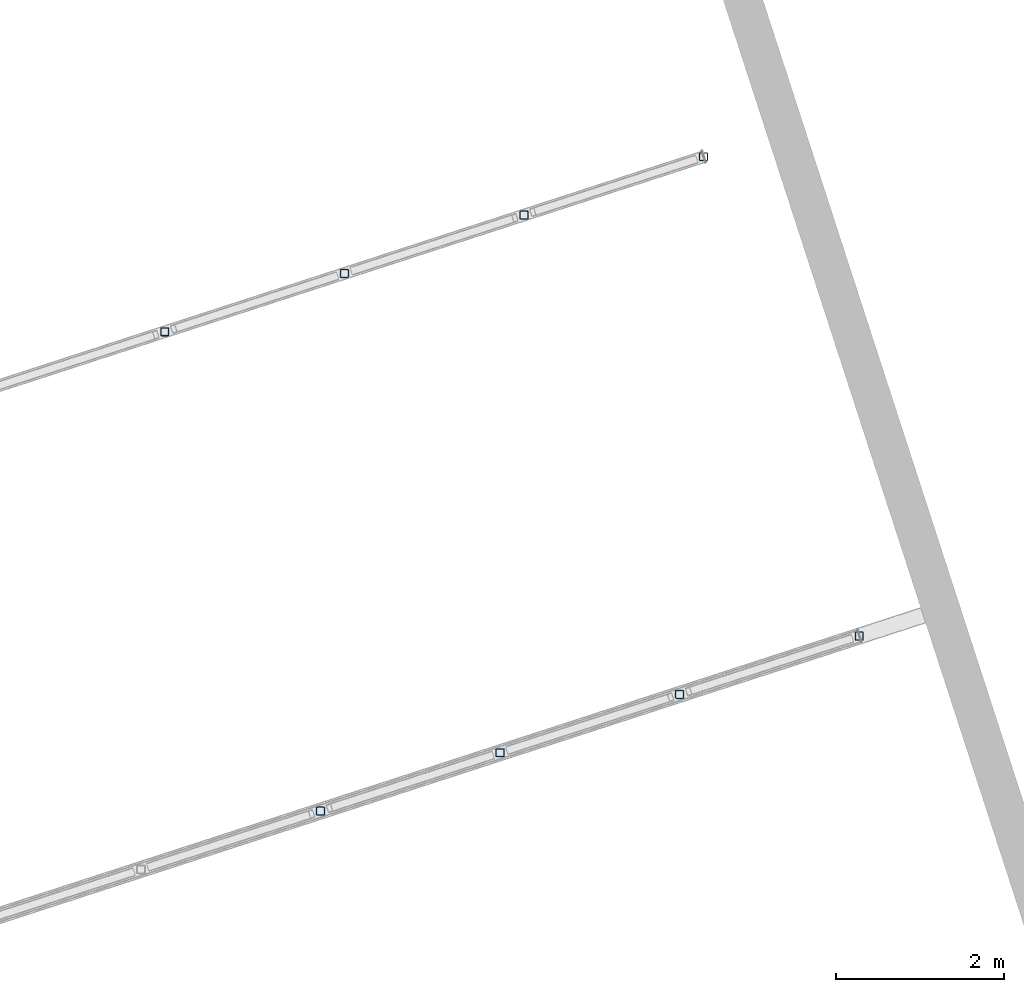
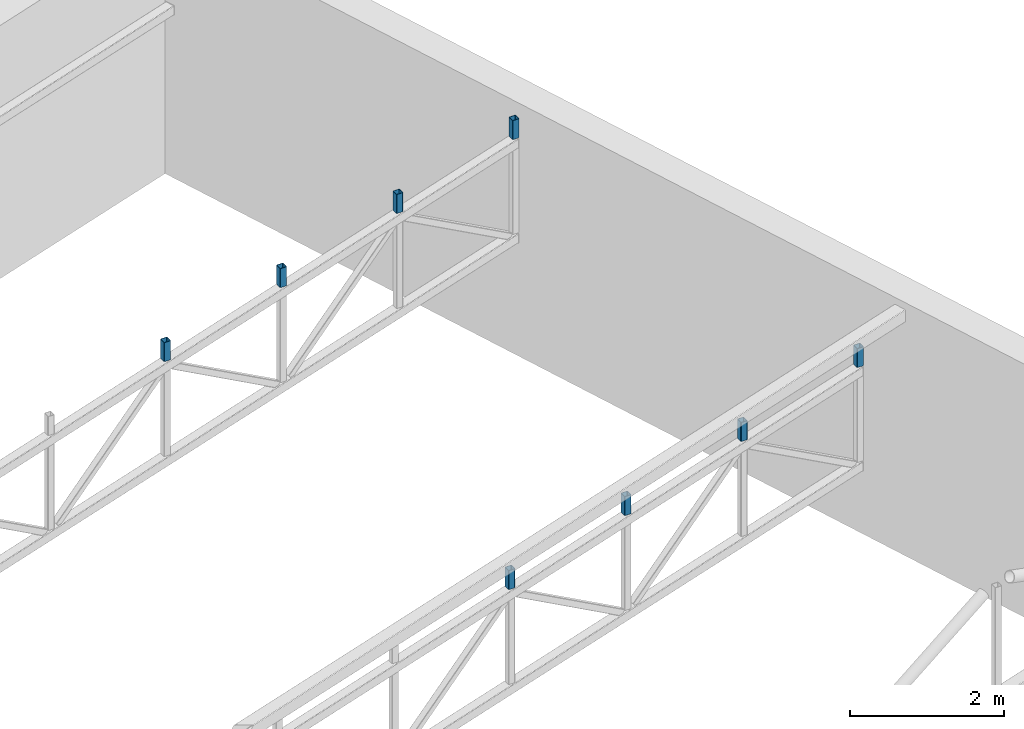
# One storey, part 61 of 81: 8 members.
"""IFC4 building model written with IfcOpenShell, lengths in metres."""

import ifcopenshell
import ifcopenshell.guid

model = None  # the IFC model being written
_history = None  # IfcOwnerHistory: only IFC2X3 demands one
_inside = {}  # id of a spatial element -> (the spatial element, [elements in it])
_under = {}  # id of a project, library or spatial element -> (it, [spatial elements below it])
_declared = {}  # id of a project -> (the project, [libraries it declares])
_typed = {}  # id of a type object -> (the type object, [elements of that type])
_made_of = {}  # id of a material, layer set ... -> (it, [elements and type objects made of it])


def new_model(schema):
    """Start an empty IFC model of exactly this schema.

    Asked for "IFC4X3", IfcOpenShell would pick the latest addendum, in which some entities
    have other attributes; the version numbers below select the first issue.
    IFC2X3 requires an IfcOwnerHistory on every rooted entity: one is made here for all.
    """
    global model, _history
    if schema == "IFC4X3":
        model = ifcopenshell.file(schema_version=(4, 3, 0, 0))
    else:
        model = ifcopenshell.file(schema=schema)
    _inside.clear()
    _under.clear()
    _declared.clear()
    _typed.clear()
    _made_of.clear()
    _history = None
    if model.schema == "IFC2X3":
        org = make("IfcOrganization", Name="unknown")
        user = make(
            "IfcPersonAndOrganization",
            ThePerson=make("IfcPerson", FamilyName="unknown"),
            TheOrganization=org,
        )
        app = make(
            "IfcApplication",
            ApplicationDeveloper=org,
            Version="unknown",
            ApplicationFullName="unknown",
            ApplicationIdentifier="unknown",
        )
        _history = make(
            "IfcOwnerHistory",
            OwningUser=user,
            OwningApplication=app,
            ChangeAction="ADDED",
            CreationDate=0,
        )
    return model


def make(cls, **values):
    """One entity of the class cls with the attributes given. An attribute that is None is left unset."""
    return model.create_entity(
        cls, **{name: value for name, value in values.items() if value is not None}
    )


def rooted(cls, **values):
    """An entity with a GlobalId (a new one), such as an element, a storey or a relation."""
    return make(cls, GlobalId=ifcopenshell.guid.new(), OwnerHistory=_history, **values)


def si_unit(unit_type, name, prefix=None):
    """IfcSIUnit, for example si_unit("LENGTHUNIT", "METRE", prefix="MILLI")."""
    return make("IfcSIUnit", UnitType=unit_type, Prefix=prefix, Name=name)


def assignment(units):
    """IfcUnitAssignment: the units of a project."""
    return None if units is None else make("IfcUnitAssignment", Units=units)


def point(xyz):
    """IfcCartesianPoint."""
    return None if xyz is None else make("IfcCartesianPoint", Coordinates=xyz)


def direction(xyz):
    """IfcDirection."""
    return None if xyz is None else make("IfcDirection", DirectionRatios=xyz)


def frame(location, z_axis=None, x_axis=None):
    """IfcAxis2Placement3D, a coordinate frame: its origin and axes. An axis left out is left unset."""
    return make(
        "IfcAxis2Placement3D",
        Location=point(location),
        Axis=direction(z_axis),
        RefDirection=direction(x_axis),
    )


def frame_2d(location, x_axis=None):
    """IfcAxis2Placement2D, a coordinate frame in the plane: its origin and x axis."""
    return make(
        "IfcAxis2Placement2D", Location=point(location), RefDirection=direction(x_axis)
    )


def origin():
    """The frame at (0, 0, 0) with its axes left unset."""
    return frame((0.0, 0.0, 0.0))


def origin_2d():
    """The frame at (0, 0) in the plane with its x axis left unset."""
    return frame_2d((0.0, 0.0))


def place(relative_to, where):
    """IfcLocalPlacement: puts the frame where relative to a parent placement (None: the world)."""
    return make(
        "IfcLocalPlacement", PlacementRelTo=relative_to, RelativePlacement=where
    )


def context(
    kind, dimensions, precision=None, world=None, true_north=None, identifier=None
):
    """IfcGeometricRepresentationContext, for example the 3D "Model" context."""
    return make(
        "IfcGeometricRepresentationContext",
        ContextIdentifier=identifier,
        ContextType=kind,
        CoordinateSpaceDimension=dimensions,
        Precision=precision,
        WorldCoordinateSystem=world,
        TrueNorth=true_north,
    )


def subcontext(parent, identifier, kind, view, scale=None):
    """IfcGeometricRepresentationSubContext, for example "Body" below "Model"."""
    return make(
        "IfcGeometricRepresentationSubContext",
        ContextIdentifier=identifier,
        ContextType=kind,
        ParentContext=parent,
        TargetScale=scale,
        TargetView=view,
    )


def project(units=None, contexts=None):
    """IfcProject with its units and contexts."""
    return rooted(
        "IfcProject",
        Name="project",
        RepresentationContexts=contexts,
        UnitsInContext=assignment(units),
    )


def spatial(cls, under=None, at=None, **own):
    """A site, building, storey or space (cls), placed at a placement, below another one or the project."""
    s = rooted(cls, ObjectPlacement=at, **own)
    if under is not None:
        _under.setdefault(under.id(), (under, []))[1].append(s)
    return s


def profile(cls, at=None, kind="AREA", **sizes):
    """A parametric profile (cls). Its sizes go by their IFC names, for example OverallWidth=200.0."""
    return make(cls, ProfileType=kind, Position=at, **sizes)


def hollow_rectangle(**sizes):
    """IfcRectangleHollowProfileDef."""
    return profile("IfcRectangleHollowProfileDef", **sizes)


def extrude(swept, where, along, depth):
    """IfcExtrudedAreaSolid: the profile swept, set in the frame where, extruded along a direction by depth."""
    return make(
        "IfcExtrudedAreaSolid",
        SweptArea=swept,
        Position=where,
        ExtrudedDirection=direction(along),
        Depth=depth,
    )


def shape(context_of_items, identifier, shape_type, items):
    """IfcShapeRepresentation: the items that make up one representation, for example the "Body"."""
    return make(
        "IfcShapeRepresentation",
        ContextOfItems=context_of_items,
        RepresentationIdentifier=identifier,
        RepresentationType=shape_type,
        Items=items,
    )


def material(Name=None, Category=None):
    """IfcMaterial."""
    return make("IfcMaterial", Name=Name, Category=Category)


def material_profile(
    of_material, cross_section, Name=None, Category=None, Priority=None
):
    """IfcMaterialProfile: a cross section and its material."""
    return make(
        "IfcMaterialProfile",
        Name=Name,
        Material=of_material,
        Profile=cross_section,
        Priority=Priority,
        Category=Category,
    )


def profile_set(profiles, Name=None, composite=None):
    """IfcMaterialProfileSet."""
    return make(
        "IfcMaterialProfileSet",
        Name=Name,
        MaterialProfiles=profiles,
        CompositeProfile=composite,
    )


def made_of(thing, what):
    """Note that an element or type object is made of a material, layer set ...; save() writes the relation."""
    if what is not None:
        _made_of.setdefault(what.id(), (what, []))[1].append(thing)
    return thing


def type_object(cls, material=None, **own):
    """A type object (cls), such as IfcWallType, which elements share."""
    return made_of(rooted(cls, **own), material)


def element(
    cls,
    number,
    at=None,
    inside=None,
    cuts=None,
    type_object=None,
    material=None,
    context=None,
    identifier="Body",
    shape_type=None,
    held_by="IfcProductDefinitionShape",
    body=None,
    shapes=None,
    **own,
):
    """One element of the class cls, such as IfcWall. Its Tag is "e" and its number.

    at: its placement. inside: the storey or other place that contains it. cuts: it is an
    opening in that element (IfcRelVoidsElement). A single representation is given by context,
    identifier, shape_type and body (its items); several are given by shapes. held_by: the class
    of the entity that holds the representations. save() writes the other relations.
    """
    e = rooted(cls, Tag="e%d" % number, ObjectPlacement=at, **own)
    if body is not None:
        shapes = [shape(context, identifier, shape_type, body)]
    if shapes is not None:
        e.Representation = make(held_by, Representations=shapes)
    if inside is not None:
        _inside.setdefault(inside.id(), (inside, []))[1].append(e)
    if cuts is not None:
        rooted(
            "IfcRelVoidsElement", RelatingBuildingElement=cuts, RelatedOpeningElement=e
        )
    if type_object is not None:
        _typed.setdefault(type_object.id(), (type_object, []))[1].append(e)
    return made_of(e, material)


def aggregate(whole, parts):
    """IfcRelAggregates: a whole, such as a stair, and the parts it consists of."""
    return rooted("IfcRelAggregates", RelatingObject=whole, RelatedObjects=parts)


def save(model, path):
    """Write the relations noted so far, then the file.

    IfcRelAggregates (storeys below a building ...), IfcRelContainedInSpatialStructure (elements
    in a storey), IfcRelDefinesByType, IfcRelAssociatesMaterial and IfcRelDeclares: one each for
    every whole, place, type object, material and project.
    """
    for whole, parts in _under.values():
        aggregate(whole, parts)
    for where, things in _inside.values():
        rooted(
            "IfcRelContainedInSpatialStructure",
            RelatedElements=things,
            RelatingStructure=where,
        )
    for kind, things in _typed.values():
        rooted("IfcRelDefinesByType", RelatedObjects=things, RelatingType=kind)
    for what, things in _made_of.values():
        rooted("IfcRelAssociatesMaterial", RelatedObjects=things, RelatingMaterial=what)
    for by, libraries in _declared.values():
        rooted("IfcRelDeclares", RelatingContext=by, RelatedDefinitions=libraries)
    model.write(path)


model = new_model("IFC4")

# Units and contexts
model_context = context("Model", 3, precision=1e-05, world=origin(), true_north=direction((0.0, 1.0)))
body_context = subcontext(model_context, "Body", "Model", "MODEL_VIEW")
ifc_project = project(units=[si_unit("LENGTHUNIT", "METRE"), si_unit("AREAUNIT", "SQUARE_METRE"), si_unit("VOLUMEUNIT", "CUBIC_METRE"), si_unit("PLANEANGLEUNIT", "RADIAN"), si_unit("MASSUNIT", "GRAM", prefix="KILO")], contexts=[model_context])

# Site, building, storey
site_placement = place(None, origin())
site = spatial("IfcSite", under=ifc_project, at=site_placement, CompositionType="ELEMENT")
building_placement = place(site_placement, origin())
building = spatial("IfcBuilding", under=site, at=building_placement, Name="Tuart Plaza Theatre", CompositionType="ELEMENT")
storey_placement = place(building_placement, frame((0.0, 0.0, 17.5)))
storey = spatial("IfcBuildingStorey", under=building, at=storey_placement, Name="L04", CompositionType="ELEMENT", Elevation=17.5)

# Members
ifc_material = material(Name="Steel Grade C350L0", Category="steel")
ifc_material_profile = material_profile(ifc_material, hollow_rectangle(XDim=0.10009765625, YDim=0.10009765625, WallThickness=0.006103515625, InnerFilletRadius=0.006103515625, OuterFilletRadius=0.011962890625, at=origin_2d()), Name="100x100x6 SHS")
ifc_profile_set = profile_set([ifc_material_profile], Name="Steel Grade C350L0")
member_type = type_object("IfcMemberType", Name="MEMBER Post 100x100x6 SHS", PredefinedType="POST", material=ifc_profile_set)
for number, where, z_axis, x_axis, name in (
    (1, (65.556884765625, 62.82666015625, 3.3916015625), (0.0, 0.0, 1.0), (1.0, 0.0, 0.0), "PO157"),
    (2, (67.69482421875, 63.521240234375, 3.3916015625), (0.0, 0.0, 1.0), (1.0, 0.0, 0.0), "PO158"),
    (3, (69.832763671875, 64.216064453125, 3.3916015625), (0.0, 0.0, 1.0), (1.0, 0.0, 0.0), "PO159"),
    (4, (71.970458984375, 64.91064453125, 3.3916015625), (0.0, 0.0, 1.0), (1.0, 0.0, 0.0), "PO160"),
    (5, (63.702880859375, 68.532958984375, 4.183837890625), (0.0, 0.0, 1.0), (1.0, 0.0, 0.0), "PO183"),
    (6, (65.840576171875, 69.2275390625, 4.183837890625), (0.0, 0.0, 1.0), (1.0, 0.0, 0.0), "PO184"),
    (7, (67.978515625, 69.92236328125, 4.183837890625), (0.0, 0.0, 1.0), (1.0, 0.0, 0.0), "PO185"),
    (8, (70.116455078125, 70.616943359375, 4.183837890625), (0.0, 0.0, 1.0), (1.0, 0.0, 0.0), "PO186"),
):
    element("IfcMember", number, at=place(storey_placement, frame(where, z_axis=z_axis, x_axis=x_axis)), inside=storey, type_object=member_type, Name=name, PredefinedType="POST", context=body_context, shape_type="SweptSolid", body=[
        extrude(hollow_rectangle(XDim=0.10009765625, YDim=0.10009765625, WallThickness=0.006103515625, InnerFilletRadius=0.006103515625, OuterFilletRadius=0.011962890625, at=origin_2d()), origin(), (0.0, 0.0, 1.0), 0.300048828125),
    ])

save(model, "model.ifc")
